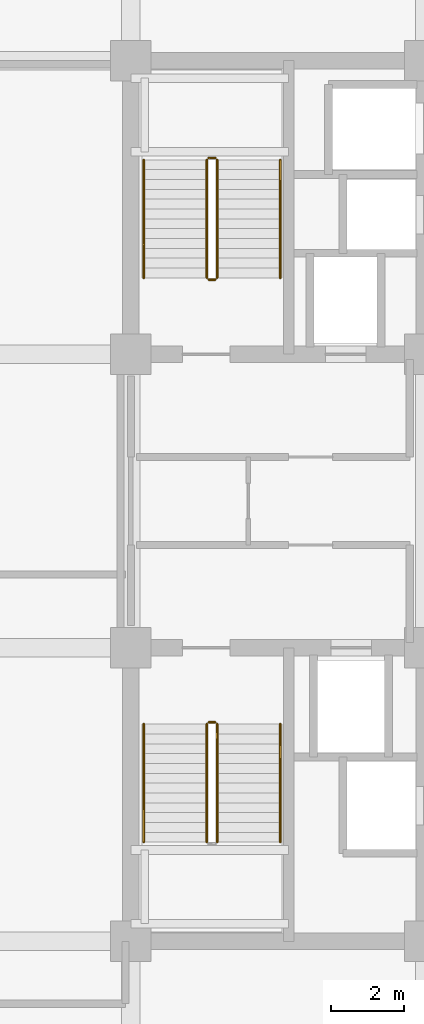
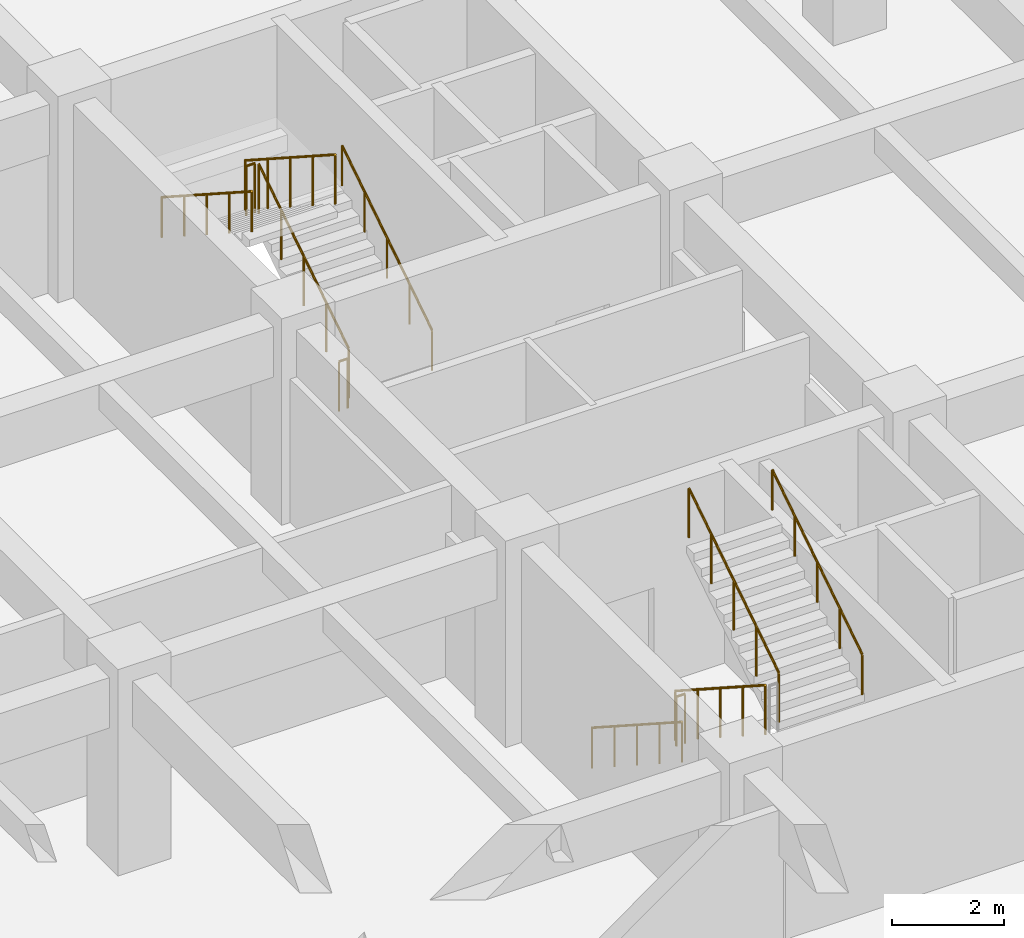
# One storey, part 13 of 16: 11 railings.
"""IFC4 building model written with IfcOpenShell, lengths in metres."""

from ifc_helpers import new_model, si_unit, direction, frame, origin, origin_2d, place, context, subcontext, project, spatial, circle, extrude, material, type_object, element, save


model = new_model("IFC4")

# Units and contexts
model_context = context("Model", 3, precision=1e-05, world=origin(), true_north=direction((0.0, 1.0)))
body_context = subcontext(model_context, "Body", "Model", "MODEL_VIEW")
ifc_project = project(units=[si_unit("LENGTHUNIT", "METRE"), si_unit("AREAUNIT", "SQUARE_METRE"), si_unit("VOLUMEUNIT", "CUBIC_METRE"), si_unit("PLANEANGLEUNIT", "RADIAN"), si_unit("MASSUNIT", "GRAM", prefix="KILO")], contexts=[model_context])

# Site, building, storey
site_placement = place(None, origin())
site = spatial("IfcSite", under=ifc_project, at=site_placement, CompositionType="ELEMENT")
building_placement = place(site_placement, origin())
building = spatial("IfcBuilding", under=site, at=building_placement, Name="Canggui Botanical Conservatory", CompositionType="ELEMENT")
storey_placement = place(building_placement, frame((0.0, 0.0, -4.5)))
storey = spatial("IfcBuildingStorey", under=building, at=storey_placement, Name="B1", CompositionType="ELEMENT", Elevation=-4.5)

# Railings
ifc_material = material(Name="Stainless Steel 304", Category="steel")
railing_type_1 = type_object("IfcRailingType", Name="RAIL-GUARD-1100", PredefinedType="BALUSTRADE", material=ifc_material)
railing_1_placement = place(storey_placement, frame((156.070068359375, 47.919921875, 0.173095703125)))
element("IfcRailing", 1, at=railing_1_placement, inside=storey, type_object=railing_type_1, Name="B1 ST-T1 stair guard 1", PredefinedType="BALUSTRADE", context=body_context, shape_type="SweptSolid", body=[
    extrude(circle(Radius=0.02392578125, at=origin_2d()), frame((0.0, 0.0, 1.076171875), z_axis=(0.0, -0.840036955699, 0.542529181759), x_axis=(1.0, 0.0, 0.0)), (0.0, 0.0, 1.0), 3.828125),
    extrude(circle(Radius=0.02099609375, at=origin_2d()), origin(), (0.0, 0.0, 1.0), 1.052001953125),
    extrude(circle(Radius=0.02099609375, at=origin_2d()), frame((0.0, -0.803955078125, 0.519287109375)), (0.0, 0.0, 1.0), 1.052001953125),
    extrude(circle(Radius=0.02099609375, at=origin_2d()), frame((0.0, -1.60791015625, 1.03857421875)), (0.0, 0.0, 1.0), 1.052001953125),
    extrude(circle(Radius=0.02099609375, at=origin_2d()), frame((0.0, -2.411865234375, 1.5576171875)), (0.0, 0.0, 1.0), 1.052001953125),
    extrude(circle(Radius=0.02099609375, at=origin_2d()), frame((0.0, -3.2158203125, 2.076904296875)), (0.0, 0.0, 1.0), 1.052001953125),
])
railing_2_placement = place(storey_placement, frame((156.35009765625, 44.7041015625, 2.423095703125)))
element("IfcRailing", 2, at=railing_2_placement, inside=storey, type_object=railing_type_1, Name="B1 ST-T1 stair guard 3", PredefinedType="BALUSTRADE", context=body_context, shape_type="SweptSolid", body=[
    extrude(circle(Radius=0.02392578125, at=origin_2d()), frame((0.0, 0.0, 1.076171875), z_axis=(0.0, 0.840036955699, 0.542529181759), x_axis=(-1.0, 0.0, 0.0)), (0.0, 0.0, 1.0), 3.828125),
    extrude(circle(Radius=0.02099609375, at=origin_2d()), origin(), (0.0, 0.0, 1.0), 1.052001953125),
    extrude(circle(Radius=0.02099609375, at=origin_2d()), frame((0.0, 0.803955078125, 0.519287109375)), (0.0, 0.0, 1.0), 1.052001953125),
    extrude(circle(Radius=0.02099609375, at=origin_2d()), frame((0.0, 1.60791015625, 1.03857421875)), (0.0, 0.0, 1.0), 1.052001953125),
    extrude(circle(Radius=0.02099609375, at=origin_2d()), frame((0.0, 2.411865234375, 1.5576171875)), (0.0, 0.0, 1.0), 1.052001953125),
    extrude(circle(Radius=0.02099609375, at=origin_2d()), frame((0.0, 3.2158203125, 2.076904296875)), (0.0, 0.0, 1.0), 1.052001953125),
])
railing_3_placement = place(storey_placement, frame((156.1201171875, 47.969970703125, 0.0)))
element("IfcRailing", 3, at=railing_3_placement, inside=storey, type_object=railing_type_1, Name="B1 ST-T1 stair guard 4", PredefinedType="BALUSTRADE", context=body_context, shape_type="SweptSolid", body=[
    extrude(circle(Radius=0.02392578125, at=origin_2d()), frame((0.0, 0.0, 1.076171875), z_axis=(1.0, 0.0, 0.0), x_axis=(0.0, 1.0, 0.0)), (0.0, 0.0, 1.0), 0.179931640625),
    extrude(circle(Radius=0.02099609375, at=origin_2d()), origin(), (0.0, 0.0, 1.0), 1.052001953125),
    extrude(circle(Radius=0.02099609375, at=origin_2d()), frame((0.179931640625, 0.0, 0.0)), (0.0, 0.0, 1.0), 1.052001953125),
])
railing_4_placement = place(storey_placement, frame((156.35009765625, 60.080078125, 0.173095703125)))
element("IfcRailing", 4, at=railing_4_placement, inside=storey, type_object=railing_type_1, Name="B1 ST-T2 stair guard 1", PredefinedType="BALUSTRADE", context=body_context, shape_type="SweptSolid", body=[
    extrude(circle(Radius=0.02392578125, at=origin_2d()), frame((0.0, 0.0, 1.076171875), z_axis=(0.0, 0.840036955699, 0.542529181759), x_axis=(-1.0, 0.0, 0.0)), (0.0, 0.0, 1.0), 3.828125),
    extrude(circle(Radius=0.02099609375, at=origin_2d()), origin(), (0.0, 0.0, 1.0), 1.052001953125),
    extrude(circle(Radius=0.02099609375, at=origin_2d()), frame((0.0, 0.803955078125, 0.519287109375)), (0.0, 0.0, 1.0), 1.052001953125),
    extrude(circle(Radius=0.02099609375, at=origin_2d()), frame((0.0, 1.60791015625, 1.03857421875)), (0.0, 0.0, 1.0), 1.052001953125),
    extrude(circle(Radius=0.02099609375, at=origin_2d()), frame((0.0, 2.411865234375, 1.5576171875)), (0.0, 0.0, 1.0), 1.052001953125),
    extrude(circle(Radius=0.02099609375, at=origin_2d()), frame((0.0, 3.2158203125, 2.076904296875)), (0.0, 0.0, 1.0), 1.052001953125),
])
railing_5_placement = place(storey_placement, frame((156.300048828125, 63.345947265625, 2.25)))
element("IfcRailing", 5, at=railing_5_placement, inside=storey, type_object=railing_type_1, Name="B1 ST-T2 stair guard 2", PredefinedType="BALUSTRADE", context=body_context, shape_type="SweptSolid", body=[
    extrude(circle(Radius=0.02392578125, at=origin_2d()), frame((0.0, 0.0, 1.076171875), z_axis=(-1.0, 0.0, 0.0), x_axis=(0.0, -1.0, 0.0)), (0.0, 0.0, 1.0), 0.179931640625),
    extrude(circle(Radius=0.02099609375, at=origin_2d()), origin(), (0.0, 0.0, 1.0), 1.052001953125),
    extrude(circle(Radius=0.02099609375, at=origin_2d()), frame((-0.179931640625, 0.0, 0.0)), (0.0, 0.0, 1.0), 1.052001953125),
])
railing_6_placement = place(storey_placement, frame((156.070068359375, 63.2958984375, 2.423095703125)))
element("IfcRailing", 6, at=railing_6_placement, inside=storey, type_object=railing_type_1, Name="B1 ST-T2 stair guard 3", PredefinedType="BALUSTRADE", context=body_context, shape_type="SweptSolid", body=[
    extrude(circle(Radius=0.02392578125, at=origin_2d()), frame((0.0, 0.0, 1.076171875), z_axis=(0.0, -0.840036955699, 0.542529181759), x_axis=(1.0, 0.0, 0.0)), (0.0, 0.0, 1.0), 3.828125),
    extrude(circle(Radius=0.02099609375, at=origin_2d()), origin(), (0.0, 0.0, 1.0), 1.052001953125),
    extrude(circle(Radius=0.02099609375, at=origin_2d()), frame((0.0, -0.803955078125, 0.519287109375)), (0.0, 0.0, 1.0), 1.052001953125),
    extrude(circle(Radius=0.02099609375, at=origin_2d()), frame((0.0, -1.60791015625, 1.03857421875)), (0.0, 0.0, 1.0), 1.052001953125),
    extrude(circle(Radius=0.02099609375, at=origin_2d()), frame((0.0, -2.411865234375, 1.5576171875)), (0.0, 0.0, 1.0), 1.052001953125),
    extrude(circle(Radius=0.02099609375, at=origin_2d()), frame((0.0, -3.2158203125, 2.076904296875)), (0.0, 0.0, 1.0), 1.052001953125),
])
railing_7_placement = place(storey_placement, frame((156.300048828125, 60.030029296875, 0.0)))
element("IfcRailing", 7, at=railing_7_placement, inside=storey, type_object=railing_type_1, Name="B1 ST-T2 stair guard 4", PredefinedType="BALUSTRADE", context=body_context, shape_type="SweptSolid", body=[
    extrude(circle(Radius=0.02392578125, at=origin_2d()), frame((0.0, 0.0, 1.076171875), z_axis=(-1.0, 0.0, 0.0), x_axis=(0.0, -1.0, 0.0)), (0.0, 0.0, 1.0), 0.179931640625),
    extrude(circle(Radius=0.02099609375, at=origin_2d()), origin(), (0.0, 0.0, 1.0), 1.052001953125),
    extrude(circle(Radius=0.02099609375, at=origin_2d()), frame((-0.179931640625, 0.0, 0.0)), (0.0, 0.0, 1.0), 1.052001953125),
])
railing_type_2 = type_object("IfcRailingType", Name="RAIL-HAND-900", PredefinedType="HANDRAIL", material=ifc_material)
railing_8_placement = place(storey_placement, frame((154.35009765625, 47.919921875, 0.173095703125)))
element("IfcRailing", 8, at=railing_8_placement, inside=storey, type_object=railing_type_2, Name="B1 ST-T1 stair handrail 1", PredefinedType="HANDRAIL", context=body_context, shape_type="SweptSolid", body=[
    extrude(circle(Radius=0.02392578125, at=origin_2d()), frame((0.0, 0.0, 0.8759765625), z_axis=(0.0, -0.840036955699, 0.542529181759), x_axis=(1.0, 0.0, 0.0)), (0.0, 0.0, 1.0), 3.828125),
    extrude(circle(Radius=0.02099609375, at=origin_2d()), origin(), (0.0, 0.0, 1.0), 0.851806640625),
    extrude(circle(Radius=0.02099609375, at=origin_2d()), frame((0.0, -0.803955078125, 0.519287109375)), (0.0, 0.0, 1.0), 0.851806640625),
    extrude(circle(Radius=0.02099609375, at=origin_2d()), frame((0.0, -1.60791015625, 1.03857421875)), (0.0, 0.0, 1.0), 0.851806640625),
    extrude(circle(Radius=0.02099609375, at=origin_2d()), frame((0.0, -2.411865234375, 1.5576171875)), (0.0, 0.0, 1.0), 0.851806640625),
    extrude(circle(Radius=0.02099609375, at=origin_2d()), frame((0.0, -3.2158203125, 2.076904296875)), (0.0, 0.0, 1.0), 0.851806640625),
])
for number, where, name in (
    (9, (158.070068359375, 44.7041015625, 2.423095703125), "B1 ST-T1 stair handrail 2"),
    (10, (158.070068359375, 60.080078125, 0.173095703125), "B1 ST-T2 stair handrail 1"),
):
    element("IfcRailing", number, at=place(storey_placement, frame(where)), inside=storey, type_object=railing_type_2, Name=name, PredefinedType="HANDRAIL", context=body_context, shape_type="SweptSolid", body=[
        extrude(circle(Radius=0.02392578125, at=origin_2d()), frame((0.0, 0.0, 0.8759765625), z_axis=(0.0, 0.840036955699, 0.542529181759), x_axis=(-1.0, 0.0, 0.0)), (0.0, 0.0, 1.0), 3.828125),
        extrude(circle(Radius=0.02099609375, at=origin_2d()), origin(), (0.0, 0.0, 1.0), 0.851806640625),
        extrude(circle(Radius=0.02099609375, at=origin_2d()), frame((0.0, 0.803955078125, 0.519287109375)), (0.0, 0.0, 1.0), 0.851806640625),
        extrude(circle(Radius=0.02099609375, at=origin_2d()), frame((0.0, 1.60791015625, 1.03857421875)), (0.0, 0.0, 1.0), 0.851806640625),
        extrude(circle(Radius=0.02099609375, at=origin_2d()), frame((0.0, 2.411865234375, 1.5576171875)), (0.0, 0.0, 1.0), 0.851806640625),
        extrude(circle(Radius=0.02099609375, at=origin_2d()), frame((0.0, 3.2158203125, 2.076904296875)), (0.0, 0.0, 1.0), 0.851806640625),
    ])
railing_9_placement = place(storey_placement, frame((154.35009765625, 63.2958984375, 2.423095703125)))
element("IfcRailing", 11, at=railing_9_placement, inside=storey, type_object=railing_type_2, Name="B1 ST-T2 stair handrail 2", PredefinedType="HANDRAIL", context=body_context, shape_type="SweptSolid", body=[
    extrude(circle(Radius=0.02392578125, at=origin_2d()), frame((0.0, 0.0, 0.8759765625), z_axis=(0.0, -0.840036955699, 0.542529181759), x_axis=(1.0, 0.0, 0.0)), (0.0, 0.0, 1.0), 3.828125),
    extrude(circle(Radius=0.02099609375, at=origin_2d()), origin(), (0.0, 0.0, 1.0), 0.851806640625),
    extrude(circle(Radius=0.02099609375, at=origin_2d()), frame((0.0, -0.803955078125, 0.519287109375)), (0.0, 0.0, 1.0), 0.851806640625),
    extrude(circle(Radius=0.02099609375, at=origin_2d()), frame((0.0, -1.60791015625, 1.03857421875)), (0.0, 0.0, 1.0), 0.851806640625),
    extrude(circle(Radius=0.02099609375, at=origin_2d()), frame((0.0, -2.411865234375, 1.5576171875)), (0.0, 0.0, 1.0), 0.851806640625),
    extrude(circle(Radius=0.02099609375, at=origin_2d()), frame((0.0, -3.2158203125, 2.076904296875)), (0.0, 0.0, 1.0), 0.851806640625),
])

save(model, "model.ifc")
